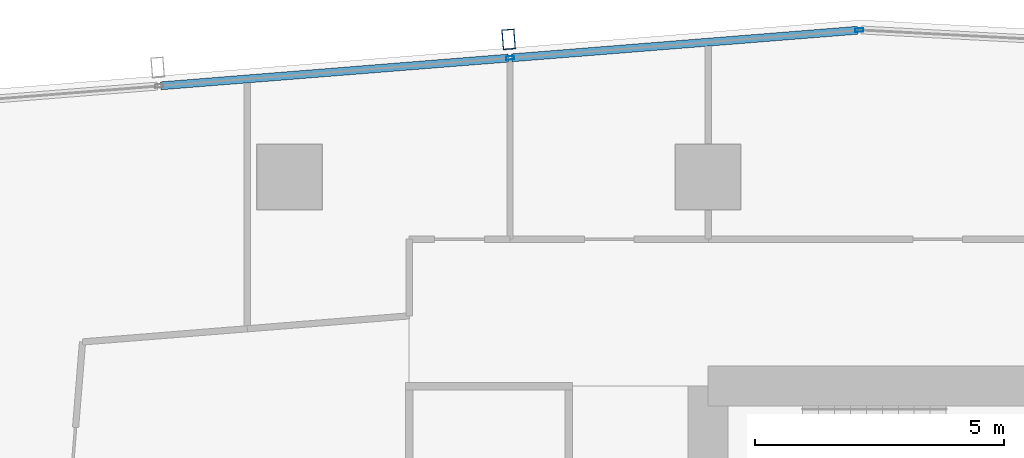
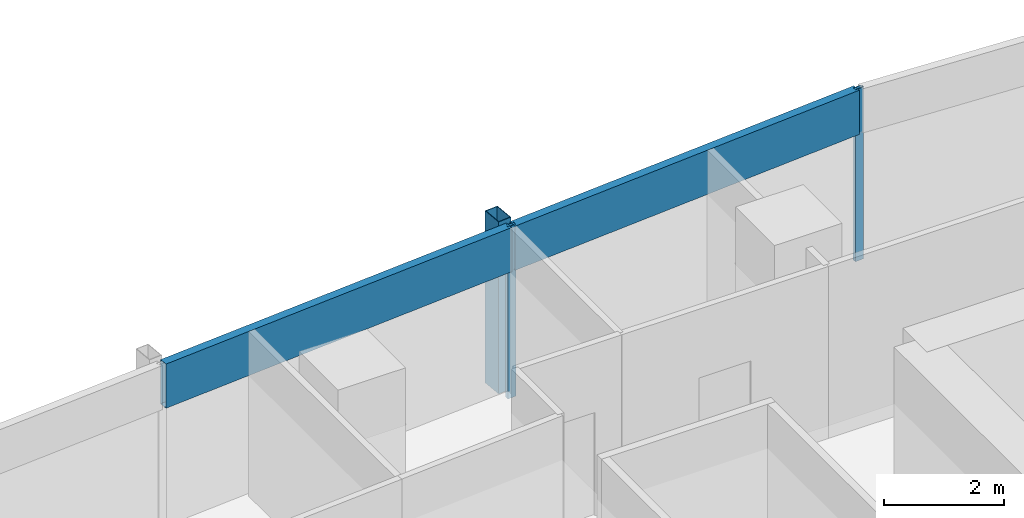
# One storey, part 14 of 28: 5 members, 1 element without a shape of its own.
"""IFC4 building model written with IfcOpenShell, lengths in metres."""

import ifcopenshell
import ifcopenshell.guid

model = None  # the IFC model being written
_history = None  # IfcOwnerHistory: only IFC2X3 demands one
_inside = {}  # id of a spatial element -> (the spatial element, [elements in it])
_under = {}  # id of a project, library or spatial element -> (it, [spatial elements below it])
_declared = {}  # id of a project -> (the project, [libraries it declares])
_typed = {}  # id of a type object -> (the type object, [elements of that type])
_made_of = {}  # id of a material, layer set ... -> (it, [elements and type objects made of it])


def new_model(schema):
    """Start an empty IFC model of exactly this schema.

    Asked for "IFC4X3", IfcOpenShell would pick the latest addendum, in which some entities
    have other attributes; the version numbers below select the first issue.
    IFC2X3 requires an IfcOwnerHistory on every rooted entity: one is made here for all.
    """
    global model, _history
    if schema == "IFC4X3":
        model = ifcopenshell.file(schema_version=(4, 3, 0, 0))
    else:
        model = ifcopenshell.file(schema=schema)
    _inside.clear()
    _under.clear()
    _declared.clear()
    _typed.clear()
    _made_of.clear()
    _history = None
    if model.schema == "IFC2X3":
        org = make("IfcOrganization", Name="unknown")
        user = make(
            "IfcPersonAndOrganization",
            ThePerson=make("IfcPerson", FamilyName="unknown"),
            TheOrganization=org,
        )
        app = make(
            "IfcApplication",
            ApplicationDeveloper=org,
            Version="unknown",
            ApplicationFullName="unknown",
            ApplicationIdentifier="unknown",
        )
        _history = make(
            "IfcOwnerHistory",
            OwningUser=user,
            OwningApplication=app,
            ChangeAction="ADDED",
            CreationDate=0,
        )
    return model


def make(cls, **values):
    """One entity of the class cls with the attributes given. An attribute that is None is left unset."""
    return model.create_entity(
        cls, **{name: value for name, value in values.items() if value is not None}
    )


def rooted(cls, **values):
    """An entity with a GlobalId (a new one), such as an element, a storey or a relation."""
    return make(cls, GlobalId=ifcopenshell.guid.new(), OwnerHistory=_history, **values)


def si_unit(unit_type, name, prefix=None):
    """IfcSIUnit, for example si_unit("LENGTHUNIT", "METRE", prefix="MILLI")."""
    return make("IfcSIUnit", UnitType=unit_type, Prefix=prefix, Name=name)


def assignment(units):
    """IfcUnitAssignment: the units of a project."""
    return None if units is None else make("IfcUnitAssignment", Units=units)


def point(xyz):
    """IfcCartesianPoint."""
    return None if xyz is None else make("IfcCartesianPoint", Coordinates=xyz)


def direction(xyz):
    """IfcDirection."""
    return None if xyz is None else make("IfcDirection", DirectionRatios=xyz)


def frame(location, z_axis=None, x_axis=None):
    """IfcAxis2Placement3D, a coordinate frame: its origin and axes. An axis left out is left unset."""
    return make(
        "IfcAxis2Placement3D",
        Location=point(location),
        Axis=direction(z_axis),
        RefDirection=direction(x_axis),
    )


def frame_2d(location, x_axis=None):
    """IfcAxis2Placement2D, a coordinate frame in the plane: its origin and x axis."""
    return make(
        "IfcAxis2Placement2D", Location=point(location), RefDirection=direction(x_axis)
    )


def origin():
    """The frame at (0, 0, 0) with its axes left unset."""
    return frame((0.0, 0.0, 0.0))


def origin_2d():
    """The frame at (0, 0) in the plane with its x axis left unset."""
    return frame_2d((0.0, 0.0))


def place(relative_to, where):
    """IfcLocalPlacement: puts the frame where relative to a parent placement (None: the world)."""
    return make(
        "IfcLocalPlacement", PlacementRelTo=relative_to, RelativePlacement=where
    )


def context(
    kind, dimensions, precision=None, world=None, true_north=None, identifier=None
):
    """IfcGeometricRepresentationContext, for example the 3D "Model" context."""
    return make(
        "IfcGeometricRepresentationContext",
        ContextIdentifier=identifier,
        ContextType=kind,
        CoordinateSpaceDimension=dimensions,
        Precision=precision,
        WorldCoordinateSystem=world,
        TrueNorth=true_north,
    )


def subcontext(parent, identifier, kind, view, scale=None):
    """IfcGeometricRepresentationSubContext, for example "Body" below "Model"."""
    return make(
        "IfcGeometricRepresentationSubContext",
        ContextIdentifier=identifier,
        ContextType=kind,
        ParentContext=parent,
        TargetScale=scale,
        TargetView=view,
    )


def project(units=None, contexts=None):
    """IfcProject with its units and contexts."""
    return rooted(
        "IfcProject",
        Name="project",
        RepresentationContexts=contexts,
        UnitsInContext=assignment(units),
    )


def spatial(cls, under=None, at=None, **own):
    """A site, building, storey or space (cls), placed at a placement, below another one or the project."""
    s = rooted(cls, ObjectPlacement=at, **own)
    if under is not None:
        _under.setdefault(under.id(), (under, []))[1].append(s)
    return s


def profile(cls, at=None, kind="AREA", **sizes):
    """A parametric profile (cls). Its sizes go by their IFC names, for example OverallWidth=200.0."""
    return make(cls, ProfileType=kind, Position=at, **sizes)


def hollow_rectangle(**sizes):
    """IfcRectangleHollowProfileDef."""
    return profile("IfcRectangleHollowProfileDef", **sizes)


def extrude(swept, where, along, depth):
    """IfcExtrudedAreaSolid: the profile swept, set in the frame where, extruded along a direction by depth."""
    return make(
        "IfcExtrudedAreaSolid",
        SweptArea=swept,
        Position=where,
        ExtrudedDirection=direction(along),
        Depth=depth,
    )


def shape(context_of_items, identifier, shape_type, items):
    """IfcShapeRepresentation: the items that make up one representation, for example the "Body"."""
    return make(
        "IfcShapeRepresentation",
        ContextOfItems=context_of_items,
        RepresentationIdentifier=identifier,
        RepresentationType=shape_type,
        Items=items,
    )


def material(Name=None, Category=None):
    """IfcMaterial."""
    return make("IfcMaterial", Name=Name, Category=Category)


def material_profile(
    of_material, cross_section, Name=None, Category=None, Priority=None
):
    """IfcMaterialProfile: a cross section and its material."""
    return make(
        "IfcMaterialProfile",
        Name=Name,
        Material=of_material,
        Profile=cross_section,
        Priority=Priority,
        Category=Category,
    )


def profile_set(profiles, Name=None, composite=None):
    """IfcMaterialProfileSet."""
    return make(
        "IfcMaterialProfileSet",
        Name=Name,
        MaterialProfiles=profiles,
        CompositeProfile=composite,
    )


def made_of(thing, what):
    """Note that an element or type object is made of a material, layer set ...; save() writes the relation."""
    if what is not None:
        _made_of.setdefault(what.id(), (what, []))[1].append(thing)
    return thing


def type_object(cls, material=None, **own):
    """A type object (cls), such as IfcWallType, which elements share."""
    return made_of(rooted(cls, **own), material)


def element(
    cls,
    number,
    at=None,
    inside=None,
    cuts=None,
    type_object=None,
    material=None,
    context=None,
    identifier="Body",
    shape_type=None,
    held_by="IfcProductDefinitionShape",
    body=None,
    shapes=None,
    **own,
):
    """One element of the class cls, such as IfcWall. Its Tag is "e" and its number.

    at: its placement. inside: the storey or other place that contains it. cuts: it is an
    opening in that element (IfcRelVoidsElement). A single representation is given by context,
    identifier, shape_type and body (its items); several are given by shapes. held_by: the class
    of the entity that holds the representations. save() writes the other relations.
    """
    e = rooted(cls, Tag="e%d" % number, ObjectPlacement=at, **own)
    if body is not None:
        shapes = [shape(context, identifier, shape_type, body)]
    if shapes is not None:
        e.Representation = make(held_by, Representations=shapes)
    if inside is not None:
        _inside.setdefault(inside.id(), (inside, []))[1].append(e)
    if cuts is not None:
        rooted(
            "IfcRelVoidsElement", RelatingBuildingElement=cuts, RelatedOpeningElement=e
        )
    if type_object is not None:
        _typed.setdefault(type_object.id(), (type_object, []))[1].append(e)
    return made_of(e, material)


def aggregate(whole, parts):
    """IfcRelAggregates: a whole, such as a stair, and the parts it consists of."""
    return rooted("IfcRelAggregates", RelatingObject=whole, RelatedObjects=parts)


def save(model, path):
    """Write the relations noted so far, then the file.

    IfcRelAggregates (storeys below a building ...), IfcRelContainedInSpatialStructure (elements
    in a storey), IfcRelDefinesByType, IfcRelAssociatesMaterial and IfcRelDeclares: one each for
    every whole, place, type object, material and project.
    """
    for whole, parts in _under.values():
        aggregate(whole, parts)
    for where, things in _inside.values():
        rooted(
            "IfcRelContainedInSpatialStructure",
            RelatedElements=things,
            RelatingStructure=where,
        )
    for kind, things in _typed.values():
        rooted("IfcRelDefinesByType", RelatedObjects=things, RelatingType=kind)
    for what, things in _made_of.values():
        rooted("IfcRelAssociatesMaterial", RelatedObjects=things, RelatingMaterial=what)
    for by, libraries in _declared.values():
        rooted("IfcRelDeclares", RelatingContext=by, RelatedDefinitions=libraries)
    model.write(path)


model = new_model("IFC4")

# Units and contexts
model_context = context("Model", 3, precision=1e-05, world=origin(), true_north=direction((0.0, 1.0)))
body_context = subcontext(model_context, "Body", "Model", "MODEL_VIEW")
ifc_project = project(units=[si_unit("LENGTHUNIT", "METRE"), si_unit("AREAUNIT", "SQUARE_METRE"), si_unit("VOLUMEUNIT", "CUBIC_METRE"), si_unit("PLANEANGLEUNIT", "RADIAN"), si_unit("MASSUNIT", "GRAM", prefix="KILO")], contexts=[model_context])

# Site, building, storey
site_placement = place(None, origin())
site = spatial("IfcSite", under=ifc_project, at=site_placement, CompositionType="ELEMENT")
building_placement = place(site_placement, origin())
building = spatial("IfcBuilding", under=site, at=building_placement, Name="Rekha Terrace Tower", CompositionType="ELEMENT")
storey_placement = place(building_placement, frame((0.0, 0.0, 253.85009765625)))
storey = spatial("IfcBuildingStorey", under=building, at=storey_placement, Name="L64", CompositionType="ELEMENT", Elevation=253.85009765625)

# Curtain wall, members
ifc_material_1 = material(Name="Aluminium framing", Category="aluminium")
curtain_wall_type = type_object("IfcCurtainWallType", Name="CW3 north unitised glazing", PredefinedType="USERDEFINED", material=ifc_material_1)
curtain_wall_placement = place(storey_placement, origin())
curtain_wall = element("IfcCurtainWall", 1, at=curtain_wall_placement, inside=storey, type_object=curtain_wall_type, Name="CW3 unitised curtain wall", ObjectType="UNITISED CURTAIN WALL", PredefinedType="USERDEFINED")
ifc_material_2 = material(Name="Steel S355 with fluorocarbon finish", Category="steel")
ifc_material_profile_1 = material_profile(ifc_material_2, hollow_rectangle(XDim=0.25, YDim=0.39990234375, WallThickness=0.012451171875, at=origin_2d()), Name="RHS400x250x12.5")
ifc_profile_set_1 = profile_set([ifc_material_profile_1], Name="Steel S355 with fluorocarbon finish")
member_type_1 = type_object("IfcMemberType", Name="BL1 facade blade RHS 400 x 250", PredefinedType="USERDEFINED", material=ifc_profile_set_1)
member_1_placement = place(storey_placement, frame((21.197021484375, 53.16162109375, 0.0), z_axis=(0.0, 0.0, 1.0), x_axis=(-0.996836012392, -0.079485623849, 0.0)))
member_1 = element("IfcMember", 2, at=member_1_placement, type_object=member_type_1, Name="Facade blade", ObjectType="FACADE BLADE", PredefinedType="USERDEFINED", context=body_context, shape_type="SweptSolid", body=[
    extrude(hollow_rectangle(XDim=0.25, YDim=0.39990234375, WallThickness=0.012451171875, at=origin_2d()), origin(), (0.0, 0.0, 1.0), 3.5),
])
ifc_material_3 = material(Name="Aluminium mullion section", Category="aluminium")
ifc_material_profile_2 = material_profile(ifc_material_3, hollow_rectangle(XDim=0.070068359375, YDim=0.159912109375, WallThickness=0.00390625, at=origin_2d()), Name="AL RHS 70x160")
ifc_profile_set_2 = profile_set([ifc_material_profile_2], Name="Aluminium mullion section")
member_type_2 = type_object("IfcMemberType", Name="CW3 mullion RHS 70 x 160", PredefinedType="MULLION", material=ifc_profile_set_2)
member_2_placement = place(storey_placement, frame((28.23779296875, 53.3466796875, 0.0), z_axis=(0.0, 0.0, 1.0), x_axis=(0.07948505154, -0.996836058026, 0.0)))
member_2 = element("IfcMember", 3, at=member_2_placement, type_object=member_type_2, Name="CW3 mullion 1", PredefinedType="MULLION", context=body_context, shape_type="SweptSolid", body=[
    extrude(hollow_rectangle(XDim=0.070068359375, YDim=0.159912109375, WallThickness=0.00390625, at=origin_2d()), origin(), (0.0, 0.0, 1.0), 3.5),
])
member_3_placement = place(storey_placement, frame((21.22705078125, 52.787841796875, 0.0), z_axis=(0.0, 0.0, 1.0), x_axis=(0.07948505154, -0.996836058026, 0.0)))
member_3 = element("IfcMember", 4, at=member_3_placement, type_object=member_type_2, Name="CW3 mullion 2", PredefinedType="MULLION", context=body_context, shape_type="SweptSolid", body=[
    extrude(hollow_rectangle(XDim=0.070068359375, YDim=0.159912109375, WallThickness=0.00390625, at=origin_2d()), origin(), (0.0, 0.0, 1.0), 3.5),
])
ifc_material_4 = material(Name="Insulated aluminium spandrel box", Category="aluminium")
ifc_material_profile_3 = material_profile(ifc_material_4, hollow_rectangle(XDim=0.159912109375, YDim=0.89990234375, WallThickness=0.0029296875, at=origin_2d()), Name="AL SPANDREL BOX 160x900")
ifc_profile_set_3 = profile_set([ifc_material_profile_3], Name="Insulated aluminium spandrel box")
member_type_3 = type_object("IfcMemberType", Name="CW3 spandrel transom 160 x 900", PredefinedType="USERDEFINED", material=ifc_profile_set_3)
member_4_placement = place(storey_placement, frame((28.202880859375, 53.343994140625, 3.0498046875), z_axis=(-0.996836091906, -0.079484626652, 0.0), x_axis=(0.079484626652, -0.996836091906, 0.0)))
member_4 = element("IfcMember", 5, at=member_4_placement, type_object=member_type_3, Name="CW3 spandrel transom 1", ObjectType="TRANSOM", PredefinedType="USERDEFINED", context=body_context, shape_type="SweptSolid", body=[
    extrude(hollow_rectangle(XDim=0.159912109375, YDim=0.89990234375, WallThickness=0.0029296875, at=origin_2d()), origin(), (0.0, 0.0, 1.0), 6.963134765625),
])
member_5_placement = place(storey_placement, frame((21.192138671875, 52.784912109375, 3.0498046875), z_axis=(-0.996837204037, -0.079470677917, 0.0), x_axis=(0.079470677917, -0.996837204037, 0.0)))
member_5 = element("IfcMember", 6, at=member_5_placement, type_object=member_type_3, Name="CW3 spandrel transom 2", ObjectType="TRANSOM", PredefinedType="USERDEFINED", context=body_context, shape_type="SweptSolid", body=[
    extrude(hollow_rectangle(XDim=0.159912109375, YDim=0.89990234375, WallThickness=0.0029296875, at=origin_2d()), origin(), (0.0, 0.0, 1.0), 6.998291015625),
])
aggregate(curtain_wall, [member_2, member_3, member_4, member_5, member_1])

save(model, "model.ifc")
